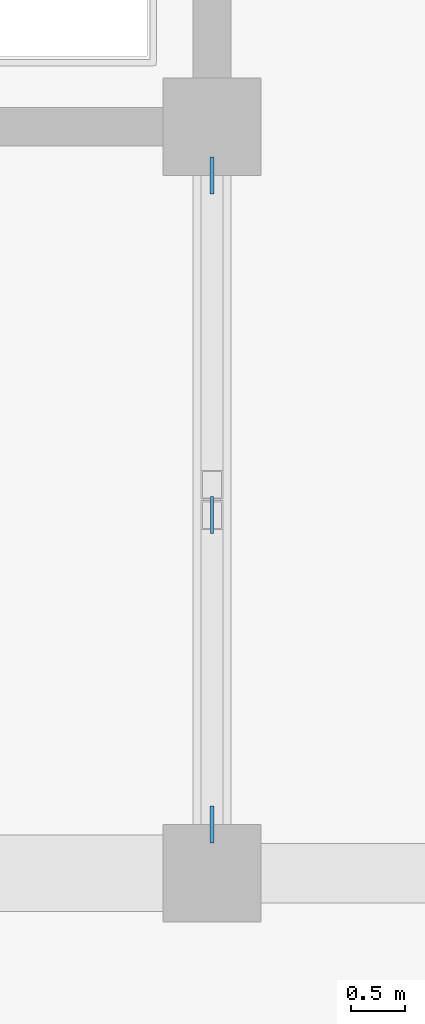
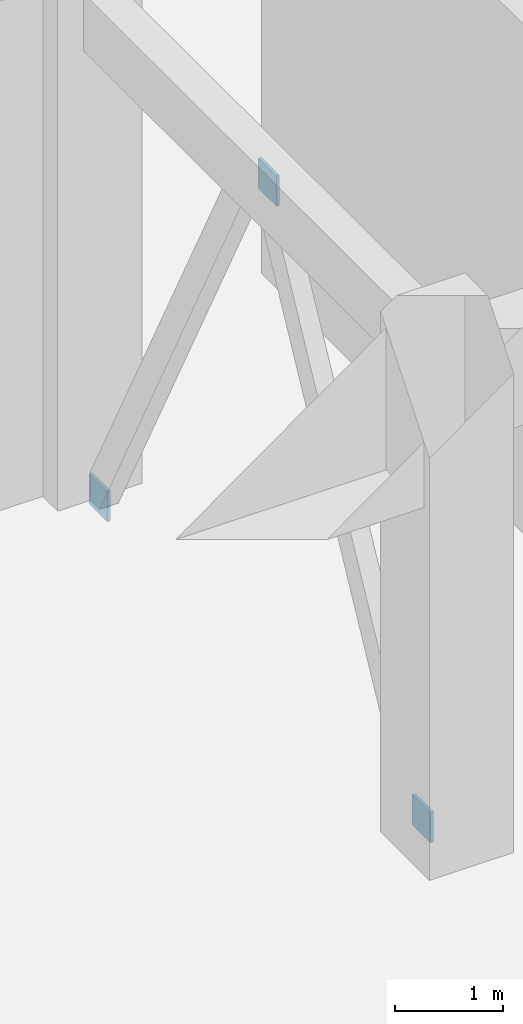
# One storey, part 34 of 73: 3 plates.
"""IFC4 building model written with IfcOpenShell, lengths in metres."""

from ifc_helpers import new_model, si_unit, direction, frame, origin, origin_2d, place, context, subcontext, project, spatial, rectangle, extrude, material, layer, layer_set, type_object, element, save


model = new_model("IFC4")

# Units and contexts
model_context = context("Model", 3, precision=1e-05, world=origin(), true_north=direction((0.0, 1.0)))
body_context = subcontext(model_context, "Body", "Model", "MODEL_VIEW")
ifc_project = project(units=[si_unit("LENGTHUNIT", "METRE"), si_unit("AREAUNIT", "SQUARE_METRE"), si_unit("VOLUMEUNIT", "CUBIC_METRE"), si_unit("PLANEANGLEUNIT", "RADIAN"), si_unit("MASSUNIT", "GRAM", prefix="KILO")], contexts=[model_context])

# Site, building, storey
site_placement = place(None, origin())
site = spatial("IfcSite", under=ifc_project, at=site_placement, CompositionType="ELEMENT")
building_placement = place(site_placement, origin())
building = spatial("IfcBuilding", under=site, at=building_placement, Name="Linyun Crest Stadium", CompositionType="ELEMENT")
storey_placement = place(building_placement, origin())
storey = spatial("IfcBuildingStorey", under=building, at=storey_placement, Name="L01", CompositionType="ELEMENT", Elevation=0.0)

# Plates
ifc_material_1 = material(Name="Steel Q420C", Category="steel")
ifc_layer_1 = layer(ifc_material_1, 0.031982421875)
ifc_layer_set_1 = layer_set([ifc_layer_1], Name="Steel Q420C")
plate_type_1 = type_object("IfcPlateType", Name="EP04", PredefinedType="USERDEFINED", material=ifc_layer_set_1)
plate_placement = place(storey_placement, frame((84.0, -42.701904296875, 5.287109375), z_axis=(0.0, 0.0, 1.0), x_axis=(0.0, 1.0, 0.0)))
element("IfcPlate", 1, at=plate_placement, inside=storey, type_object=plate_type_1, Name="Hollow section cap end plate EP04 472", ObjectType="END PLATE", PredefinedType="USERDEFINED", context=body_context, shape_type="SweptSolid", body=[
    extrude(rectangle(XDim=0.340087890625, YDim=0.031982421875, at=origin_2d()), origin(), (0.0, 0.0, 1.0), 0.340087890625),
])
ifc_material_2 = material(Name="Steel Q420C", Category="steel")
ifc_layer_2 = layer(ifc_material_2, 0.035888671875)
ifc_layer_set_2 = layer_set([ifc_layer_2], Name="Steel Q420C")
plate_type_2 = type_object("IfcPlateType", Name="NP04", PredefinedType="USERDEFINED", material=ifc_layer_set_2)
for number, where, z_axis, x_axis, name in (
    (2, (84.0, -45.550048828125, -0.169921875), (0.0, 0.0, 1.0), (0.0, 1.0, 0.0), "Hollow section cap end plate NP04 471"),
    (3, (84.0, -39.574951171875, -0.169921875), (0.0, 0.0, 1.0), (0.0, 1.0, 0.0), "Hollow section cap end plate NP04 473"),
):
    element("IfcPlate", number, at=place(storey_placement, frame(where, z_axis=z_axis, x_axis=x_axis)), inside=storey, type_object=plate_type_2, Name=name, ObjectType="GUSSET PLATE", PredefinedType="USERDEFINED", context=body_context, shape_type="SweptSolid", body=[
        extrude(rectangle(XDim=0.340087890625, YDim=0.035888671875, at=origin_2d()), origin(), (0.0, 0.0, 1.0), 0.340087890625),
    ])

save(model, "model.ifc")
